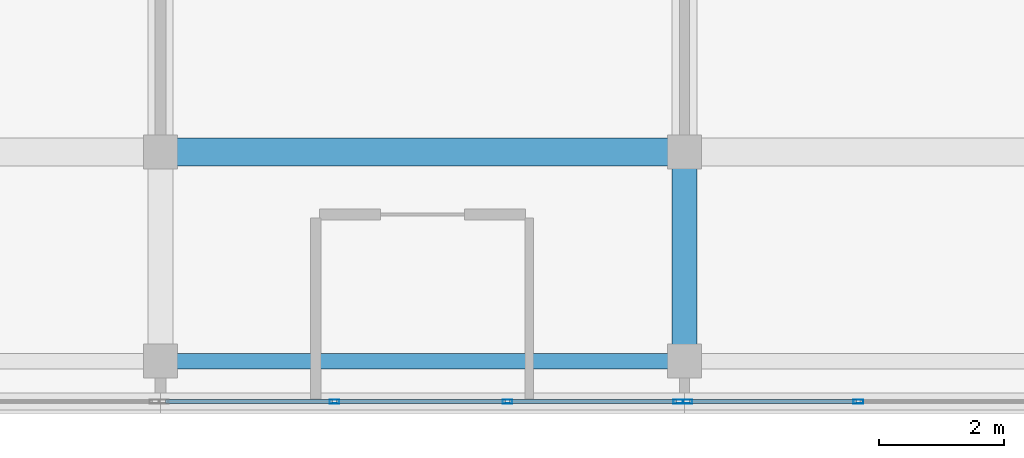
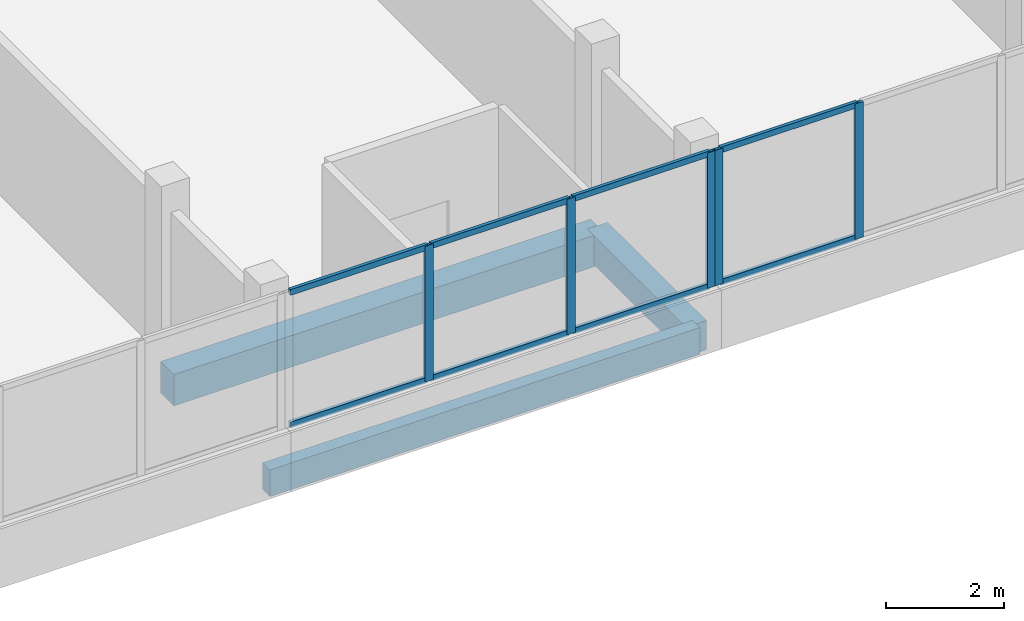
# One storey, part 28 of 67: 13 members, 3 beams, 2 elements without a shape of their own.
"""IFC4 building model written with IfcOpenShell, lengths in metres."""

from ifc_helpers import new_model, si_unit, direction, frame, origin, origin_2d, place, context, subcontext, project, spatial, rectangle, hollow_rectangle, extrude, material, material_profile, profile_set, type_object, element, aggregate, save


model = new_model("IFC4")

# Units and contexts
model_context = context("Model", 3, precision=1e-05, world=origin(), true_north=direction((0.0, 1.0)))
body_context = subcontext(model_context, "Body", "Model", "MODEL_VIEW")
ifc_project = project(units=[si_unit("LENGTHUNIT", "METRE"), si_unit("AREAUNIT", "SQUARE_METRE"), si_unit("VOLUMEUNIT", "CUBIC_METRE"), si_unit("PLANEANGLEUNIT", "RADIAN"), si_unit("MASSUNIT", "GRAM", prefix="KILO")], contexts=[model_context])

# Site, building, storey
site_placement = place(None, origin())
site = spatial("IfcSite", under=ifc_project, at=site_placement, CompositionType="ELEMENT")
building_placement = place(site_placement, origin())
building = spatial("IfcBuilding", under=site, at=building_placement, Name="Selatvlak General Hospital", CompositionType="ELEMENT")
storey_placement = place(building_placement, frame((0.0, 0.0, 35.39990234375)))
storey = spatial("IfcBuildingStorey", under=building, at=storey_placement, Name="L08", CompositionType="ELEMENT", Elevation=35.39990234375)

# Beams
ifc_material_1 = material(Name="Concrete C40/50", Category="concrete")
ifc_material_profile_1 = material_profile(ifc_material_1, rectangle(XDim=0.449951171875, YDim=0.64990234375, at=origin_2d()), Name="RC-BM 450x650")
ifc_profile_set_1 = profile_set([ifc_material_profile_1], Name="Concrete C40/50")
beam_type_1 = type_object("IfcBeamType", Name="BM-G04", PredefinedType="BEAM", material=ifc_profile_set_1)
beam_1_placement = place(storey_placement, frame((90.0, 92.0, -0.58984375), z_axis=(1.0, 0.0, 0.0), x_axis=(0.0, 1.0, 0.0)))
element("IfcBeam", 1, at=beam_1_placement, inside=storey, type_object=beam_type_1, Name="Beam BMR-L08-2576", PredefinedType="BEAM", context=body_context, shape_type="SweptSolid", body=[
    extrude(rectangle(XDim=0.449951171875, YDim=0.64990234375, at=origin_2d()), origin(), (0.0, 0.0, 1.0), 8.39990234375),
])
ifc_material_profile_2 = material_profile(ifc_material_1, rectangle(XDim=0.39990234375, YDim=0.60009765625, at=origin_2d()), Name="RC-BM 400x600")
ifc_profile_set_2 = profile_set([ifc_material_profile_2], Name="Concrete C40/50")
beam_type_2 = type_object("IfcBeamType", Name="BM-G05", PredefinedType="BEAM", material=ifc_profile_set_2)
beam_2_placement = place(storey_placement, frame((98.39990234375, 88.64990234375, -0.56494140625), z_axis=(0.0, 1.0, 0.0), x_axis=(-1.0, 0.0, 0.0)))
element("IfcBeam", 2, at=beam_2_placement, inside=storey, type_object=beam_type_2, Name="Beam BMR-L08-2678", PredefinedType="BEAM", context=body_context, shape_type="SweptSolid", body=[
    extrude(rectangle(XDim=0.39990234375, YDim=0.60009765625, at=origin_2d()), origin(), (0.0, 0.0, 1.0), 3.35009765625),
])
ifc_material_profile_3 = material_profile(ifc_material_1, rectangle(XDim=0.25, YDim=0.550048828125, at=origin_2d()), Name="RC-SP 250x550")
ifc_profile_set_3 = profile_set([ifc_material_profile_3], Name="Concrete C40/50")
beam_type_3 = type_object("IfcBeamType", Name="BM-SP2", PredefinedType="SPANDREL", material=ifc_profile_set_3)
beam_3_placement = place(storey_placement, frame((90.0, 88.64990234375, -0.539794921875), z_axis=(1.0, 0.0, 0.0), x_axis=(0.0, 1.0, 0.0)))
element("IfcBeam", 3, at=beam_3_placement, inside=storey, type_object=beam_type_3, Name="Beam BMR-L08-2559", PredefinedType="SPANDREL", context=body_context, shape_type="SweptSolid", body=[
    extrude(rectangle(XDim=0.25, YDim=0.550048828125, at=origin_2d()), origin(), (0.0, 0.0, 1.0), 8.39990234375),
])

# Curtain wall, members
ifc_material_2 = material(Name="Solar-control Low-E double glazing", Category="glass")
curtain_wall_type_1 = type_object("IfcCurtainWallType", Name="CW-CW-02", PredefinedType="USERDEFINED", material=ifc_material_2)
curtain_wall_1_placement = place(storey_placement, origin())
curtain_wall_1 = element("IfcCurtainWall", 4, at=curtain_wall_1_placement, inside=storey, type_object=curtain_wall_type_1, Name="Glazed facade curtain wall CW-L08-0707", ObjectType="UNITISED CURTAIN WALL", PredefinedType="USERDEFINED")
ifc_material_3 = material(Name="Dark anodised aluminium mullion", Category="aluminium")
ifc_material_profile_4 = material_profile(ifc_material_3, hollow_rectangle(XDim=0.06494140625, YDim=0.159912109375, WallThickness=0.00390625, at=origin_2d()), Name="AL-MUL 65x160x4")
ifc_profile_set_4 = profile_set([ifc_material_profile_4], Name="Dark anodised aluminium mullion")
member_type_1 = type_object("IfcMemberType", Name="CWM-01", PredefinedType="MULLION", material=ifc_profile_set_4)
member_1_placement = place(storey_placement, frame((101.188232421875, 88.0009765625, 0.940185546875), z_axis=(0.0, 0.0, 1.0), x_axis=(0.0, -1.0, 0.0)))
member_1 = element("IfcMember", 5, at=member_1_placement, type_object=member_type_1, Name="CW-02 mullion 3", PredefinedType="MULLION", context=body_context, shape_type="SweptSolid", body=[
    extrude(hollow_rectangle(XDim=0.06494140625, YDim=0.159912109375, WallThickness=0.00390625, at=origin_2d()), origin(), (0.0, 0.0, 1.0), 2.7998046875),
])
member_2_placement = place(storey_placement, frame((98.447509765625, 88.0009765625, 0.940185546875), z_axis=(0.0, 0.0, 1.0), x_axis=(0.0, -1.0, 0.0)))
member_2 = element("IfcMember", 6, at=member_2_placement, type_object=member_type_1, Name="CW-02 mullion 4", PredefinedType="MULLION", context=body_context, shape_type="SweptSolid", body=[
    extrude(hollow_rectangle(XDim=0.06494140625, YDim=0.159912109375, WallThickness=0.00390625, at=origin_2d()), origin(), (0.0, 0.0, 1.0), 2.7998046875),
])

curtain_wall_type_2 = type_object("IfcCurtainWallType", Name="CW-CW-01", PredefinedType="USERDEFINED", material=ifc_material_2)
curtain_wall_2_placement = place(storey_placement, origin())
curtain_wall_2 = element("IfcCurtainWall", 7, at=curtain_wall_2_placement, inside=storey, type_object=curtain_wall_type_2, Name="Glazed facade curtain wall CW-L08-0708", ObjectType="UNITISED CURTAIN WALL", PredefinedType="USERDEFINED")
member_3_placement = place(storey_placement, frame((98.302490234375, 88.0009765625, 0.940185546875), z_axis=(0.0, 0.0, 1.0), x_axis=(0.000120192308, -0.999999992777, 0.0)))
member_3 = element("IfcMember", 8, at=member_3_placement, type_object=member_type_1, Name="CW-01 mullion 1", PredefinedType="MULLION", context=body_context, shape_type="SweptSolid", body=[
    extrude(hollow_rectangle(XDim=0.06494140625, YDim=0.159912109375, WallThickness=0.00390625, at=origin_2d()), origin(), (0.0, 0.0, 1.0), 2.7998046875),
])
member_4_placement = place(storey_placement, frame((95.561767578125, 88.000732421875, 0.940185546875), z_axis=(0.0, 0.0, 1.0), x_axis=(0.000120192308, -0.999999992777, 0.0)))
member_4 = element("IfcMember", 9, at=member_4_placement, type_object=member_type_1, Name="CW-01 mullion 2", PredefinedType="MULLION", context=body_context, shape_type="SweptSolid", body=[
    extrude(hollow_rectangle(XDim=0.06494140625, YDim=0.159912109375, WallThickness=0.00390625, at=origin_2d()), origin(), (0.0, 0.0, 1.0), 2.7998046875),
])
member_5_placement = place(storey_placement, frame((92.788330078125, 88.000244140625, 0.940185546875), z_axis=(0.0, 0.0, 1.0), x_axis=(0.000120192308, -0.999999992777, 0.0)))
member_5 = element("IfcMember", 10, at=member_5_placement, type_object=member_type_1, Name="CW-01 mullion 3", PredefinedType="MULLION", context=body_context, shape_type="SweptSolid", body=[
    extrude(hollow_rectangle(XDim=0.06494140625, YDim=0.159912109375, WallThickness=0.00390625, at=origin_2d()), origin(), (0.0, 0.0, 1.0), 2.7998046875),
])

# Member
ifc_material_profile_5 = material_profile(ifc_material_3, hollow_rectangle(XDim=0.06494140625, YDim=0.1201171875, WallThickness=0.00390625, at=origin_2d()), Name="AL-TRN 65x120x4")
ifc_profile_set_5 = profile_set([ifc_material_profile_5], Name="Dark anodised aluminium mullion")
member_type_2 = type_object("IfcMemberType", Name="CWT-01", PredefinedType="USERDEFINED", material=ifc_profile_set_5)
member_6_placement = place(storey_placement, frame((101.15576171875, 88.0009765625, 0.97265625), z_axis=(-1.0, 0.0, 0.0), x_axis=(0.0, -1.0, 0.0)))
member_6 = element("IfcMember", 11, at=member_6_placement, type_object=member_type_2, Name="CW-02 transom 3.1", ObjectType="TRANSOM", PredefinedType="USERDEFINED", context=body_context, shape_type="SweptSolid", body=[
    extrude(hollow_rectangle(XDim=0.06494140625, YDim=0.1201171875, WallThickness=0.00390625, at=origin_2d()), origin(), (0.0, 0.0, 1.0), 2.67578125),
])

member_7_placement = place(storey_placement, frame((101.15576171875, 88.0009765625, 3.70751953125), z_axis=(-1.0, 0.0, 0.0), x_axis=(0.0, -1.0, 0.0)))
member_7 = element("IfcMember", 12, at=member_7_placement, type_object=member_type_2, Name="CW-02 transom 3.2", ObjectType="TRANSOM", PredefinedType="USERDEFINED", context=body_context, shape_type="SweptSolid", body=[
    extrude(hollow_rectangle(XDim=0.06494140625, YDim=0.1201171875, WallThickness=0.00390625, at=origin_2d()), origin(), (0.0, 0.0, 1.0), 2.67578125),
])

aggregate(curtain_wall_1, [member_1, member_2, member_6, member_7])

member_8_placement = place(storey_placement, frame((98.27001953125, 88.0009765625, 0.97265625), z_axis=(-0.999999995838, -9.1240876e-05, 0.0), x_axis=(9.1240876e-05, -0.999999995838, 0.0)))
member_8 = element("IfcMember", 13, at=member_8_placement, type_object=member_type_2, Name="CW-01 transom 1.1", ObjectType="TRANSOM", PredefinedType="USERDEFINED", context=body_context, shape_type="SweptSolid", body=[
    extrude(hollow_rectangle(XDim=0.06494140625, YDim=0.1201171875, WallThickness=0.00390625, at=origin_2d()), origin(), (0.0, 0.0, 1.0), 2.67578125),
])

member_9_placement = place(storey_placement, frame((98.27001953125, 88.0009765625, 3.70751953125), z_axis=(-0.999999995838, -9.1240876e-05, 0.0), x_axis=(9.1240876e-05, -0.999999995838, 0.0)))
member_9 = element("IfcMember", 14, at=member_9_placement, type_object=member_type_2, Name="CW-01 transom 1.2", ObjectType="TRANSOM", PredefinedType="USERDEFINED", context=body_context, shape_type="SweptSolid", body=[
    extrude(hollow_rectangle(XDim=0.06494140625, YDim=0.1201171875, WallThickness=0.00390625, at=origin_2d()), origin(), (0.0, 0.0, 1.0), 2.67578125),
])

member_10_placement = place(storey_placement, frame((95.529052734375, 88.000732421875, 0.97265625), z_axis=(-0.999999983747, -0.000180293876, 0.0), x_axis=(0.000180293876, -0.999999983747, 0.0)))
member_10 = element("IfcMember", 15, at=member_10_placement, type_object=member_type_2, Name="CW-01 transom 2.1", ObjectType="TRANSOM", PredefinedType="USERDEFINED", context=body_context, shape_type="SweptSolid", body=[
    extrude(hollow_rectangle(XDim=0.06494140625, YDim=0.1201171875, WallThickness=0.00390625, at=origin_2d()), origin(), (0.0, 0.0, 1.0), 2.708251953125),
])

member_11_placement = place(storey_placement, frame((95.529052734375, 88.000732421875, 3.70751953125), z_axis=(-0.999999983747, -0.000180293876, 0.0), x_axis=(0.000180293876, -0.999999983747, 0.0)))
member_11 = element("IfcMember", 16, at=member_11_placement, type_object=member_type_2, Name="CW-01 transom 2.2", ObjectType="TRANSOM", PredefinedType="USERDEFINED", context=body_context, shape_type="SweptSolid", body=[
    extrude(hollow_rectangle(XDim=0.06494140625, YDim=0.1201171875, WallThickness=0.00390625, at=origin_2d()), origin(), (0.0, 0.0, 1.0), 2.708251953125),
])

member_12_placement = place(storey_placement, frame((92.755859375, 88.000244140625, 0.97265625), z_axis=(-0.999999995838, -9.1240876e-05, 0.0), x_axis=(9.1240876e-05, -0.999999995838, 0.0)))
member_12 = element("IfcMember", 17, at=member_12_placement, type_object=member_type_2, Name="CW-01 transom 3.1", ObjectType="TRANSOM", PredefinedType="USERDEFINED", context=body_context, shape_type="SweptSolid", body=[
    extrude(hollow_rectangle(XDim=0.06494140625, YDim=0.1201171875, WallThickness=0.00390625, at=origin_2d()), origin(), (0.0, 0.0, 1.0), 2.67578125),
])

member_13_placement = place(storey_placement, frame((92.755859375, 88.000244140625, 3.70751953125), z_axis=(-0.999999995838, -9.1240876e-05, 0.0), x_axis=(9.1240876e-05, -0.999999995838, 0.0)))
member_13 = element("IfcMember", 18, at=member_13_placement, type_object=member_type_2, Name="CW-01 transom 3.2", ObjectType="TRANSOM", PredefinedType="USERDEFINED", context=body_context, shape_type="SweptSolid", body=[
    extrude(hollow_rectangle(XDim=0.06494140625, YDim=0.1201171875, WallThickness=0.00390625, at=origin_2d()), origin(), (0.0, 0.0, 1.0), 2.67578125),
])

aggregate(curtain_wall_2, [member_3, member_4, member_5, member_8, member_9, member_10, member_11, member_12, member_13])

save(model, "model.ifc")
